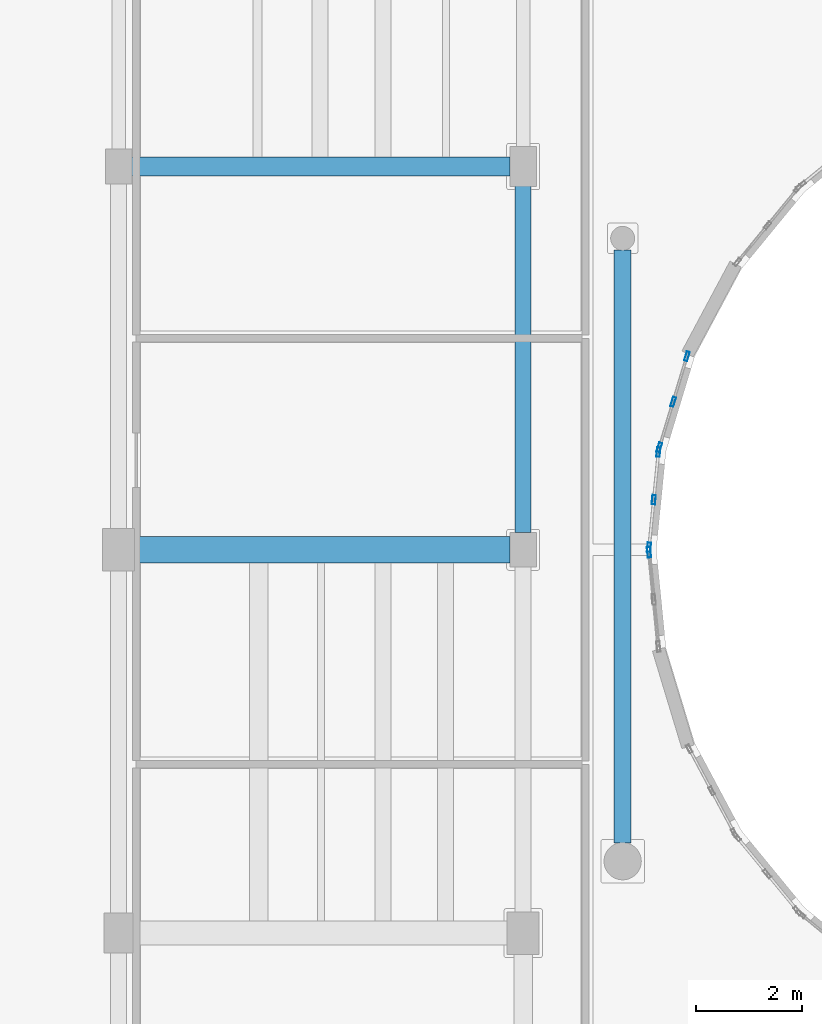
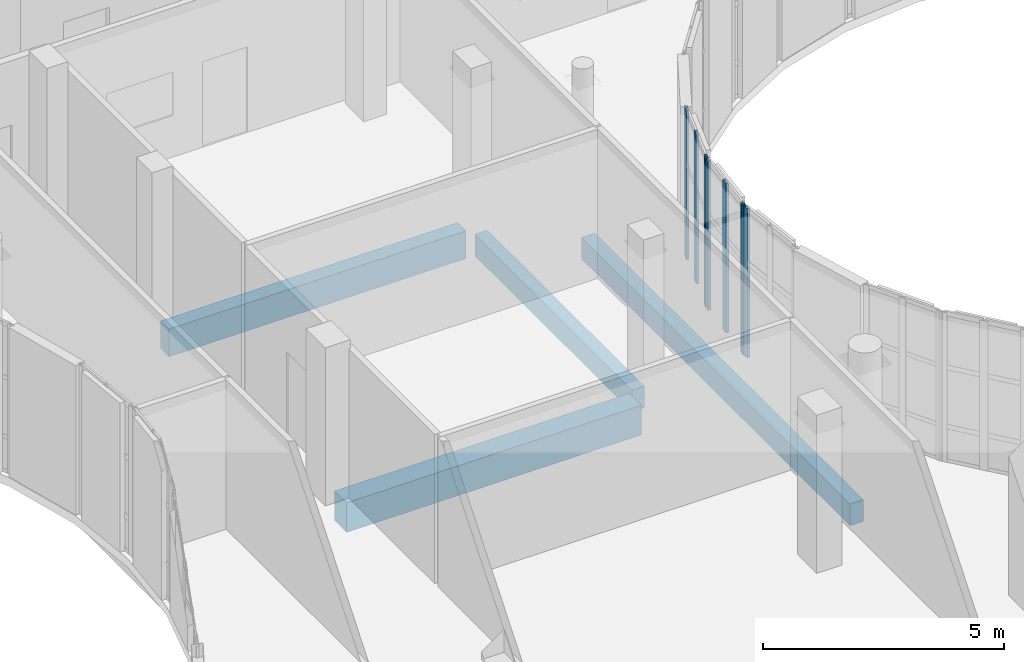
# One storey, part 35 of 105: 7 members, 4 beams, 3 elements without a shape of their own.
"""IFC4 building model written with IfcOpenShell, lengths in metres."""

from ifc_helpers import new_model, si_unit, direction, frame, origin, origin_2d, place, context, subcontext, project, spatial, rectangle, hollow_rectangle, extrude, material, layer, layer_set, material_profile, profile_set, type_object, element, aggregate, save


model = new_model("IFC4")

# Units and contexts
model_context = context("Model", 3, precision=1e-05, world=origin(), true_north=direction((0.0, 1.0)))
body_context = subcontext(model_context, "Body", "Model", "MODEL_VIEW")
ifc_project = project(units=[si_unit("LENGTHUNIT", "METRE"), si_unit("AREAUNIT", "SQUARE_METRE"), si_unit("VOLUMEUNIT", "CUBIC_METRE"), si_unit("PLANEANGLEUNIT", "RADIAN"), si_unit("MASSUNIT", "GRAM", prefix="KILO")], contexts=[model_context])

# Site, building, storey
site_placement = place(None, origin())
site = spatial("IfcSite", under=ifc_project, at=site_placement, CompositionType="ELEMENT")
building_placement = place(site_placement, origin())
building = spatial("IfcBuilding", under=site, at=building_placement, Name="Kelanivale Promenade Academy", CompositionType="ELEMENT")
storey_placement = place(building_placement, frame((0.0, 0.0, 4.199951171875)))
storey = spatial("IfcBuildingStorey", under=building, at=storey_placement, Name="L01", CompositionType="ELEMENT", Elevation=4.199951171875)

# Beams
ifc_material_1 = material(Name="Concrete C35/45", Category="concrete")
ifc_material_profile_1 = material_profile(ifc_material_1, rectangle(XDim=0.5, YDim=0.75, at=origin_2d()), Name="RC-BM 500x750")
ifc_profile_set_1 = profile_set([ifc_material_profile_1], Name="Concrete C35/45")
beam_type_1 = type_object("IfcBeamType", Name="BM-06 RC-BM 500x750", PredefinedType="BEAM", material=ifc_profile_set_1)
beam_1_placement = place(storey_placement, frame((79.4951171875, 56.800048828125, -0.594970703125), z_axis=(1.0, 0.0, 0.0), x_axis=(0.0, 1.0, 0.0)))
element("IfcBeam", 1, at=beam_1_placement, inside=storey, type_object=beam_type_1, Name="L01 girder BM-06", PredefinedType="BEAM", context=body_context, shape_type="SweptSolid", body=[
    extrude(rectangle(XDim=0.5, YDim=0.75, at=origin_2d()), origin(), (0.0, 0.0, 1.0), 7.059814453125),
])
ifc_material_profile_2 = material_profile(ifc_material_1, rectangle(XDim=0.35009765625, YDim=0.699951171875, at=origin_2d()), Name="RC-BM 350x700")
ifc_profile_set_2 = profile_set([ifc_material_profile_2], Name="Concrete C35/45")
beam_type_2 = type_object("IfcBeamType", Name="BM-11 RC-BM 350x700", PredefinedType="BEAM", material=ifc_profile_set_2)
beam_2_placement = place(storey_placement, frame((79.445068359375, 64.0, -0.570068359375), z_axis=(1.0, 0.0, 0.0), x_axis=(0.0, 1.0, 0.0)))
element("IfcBeam", 2, at=beam_2_placement, inside=storey, type_object=beam_type_2, Name="L01 girder BM-11", PredefinedType="BEAM", context=body_context, shape_type="SweptSolid", body=[
    extrude(rectangle(XDim=0.35009765625, YDim=0.699951171875, at=origin_2d()), origin(), (0.0, 0.0, 1.0), 7.10986328125),
])

# Curtain wall, members
ifc_material_2 = material(Name="Bronze anodised aluminium and solar-control low-E glass", Category="aluminium")
ifc_layer_1 = layer(ifc_material_2, 0.179931640625)
ifc_layer_set_1 = layer_set([ifc_layer_1], Name="Bronze anodised aluminium and solar-control low-E glass")
curtain_wall_type_1 = type_object("IfcCurtainWallType", Name="CW-14 Curtain Wall 1500mm Module", PredefinedType="USERDEFINED", material=ifc_layer_set_1)
curtain_wall_1_placement = place(storey_placement, origin())
curtain_wall_1 = element("IfcCurtainWall", 3, at=curtain_wall_1_placement, inside=storey, type_object=curtain_wall_type_1, Name="L01 courtyard curtain wall CW-14", ObjectType="COURTYARD SCREEN GLAZING", PredefinedType="USERDEFINED")
ifc_material_3 = material(Name="Bronze anodised aluminium EN AW-6063 T6", Category="aluminium")
ifc_material_profile_3 = material_profile(ifc_material_3, hollow_rectangle(XDim=0.06005859375, YDim=0.179931640625, WallThickness=0.00390625, at=origin_2d()), Name="ALU 60x180x4.0")
ifc_profile_set_3 = profile_set([ifc_material_profile_3], Name="Bronze anodised aluminium EN AW-6063 T6")
member_type_1 = type_object("IfcMemberType", Name="CWM-02 ALU 60x180x4.0", PredefinedType="MULLION", material=ifc_profile_set_3)
member_1_placement = place(storey_placement, frame((89.876220703125, 60.433349609375, 0.0), z_axis=(0.0, 0.0, 1.0), x_axis=(0.956987977524, -0.290127576893, 0.0)))
member_1 = element("IfcMember", 4, at=member_1_placement, type_object=member_type_1, Name="CW-14 mullion 1", PredefinedType="MULLION", context=body_context, shape_type="SweptSolid", body=[
    extrude(hollow_rectangle(XDim=0.06005859375, YDim=0.179931640625, WallThickness=0.00390625, at=origin_2d()), origin(), (0.0, 0.0, 1.0), 3.780029296875),
])
member_2_placement = place(storey_placement, frame((89.616943359375, 59.577880859375, 0.0), z_axis=(0.0, 0.0, 1.0), x_axis=(0.956987977524, -0.290127576893, 0.0)))
member_2 = element("IfcMember", 5, at=member_2_placement, type_object=member_type_1, Name="CW-14 mullion 2", PredefinedType="MULLION", context=body_context, shape_type="SweptSolid", body=[
    extrude(hollow_rectangle(XDim=0.06005859375, YDim=0.179931640625, WallThickness=0.00390625, at=origin_2d()), origin(), (0.0, 0.0, 1.0), 3.780029296875),
])
member_3_placement = place(storey_placement, frame((89.357666015625, 58.72265625, 0.0), z_axis=(0.0, 0.0, 1.0), x_axis=(0.956987977524, -0.290127576893, 0.0)))
member_3 = element("IfcMember", 6, at=member_3_placement, type_object=member_type_1, Name="CW-14 mullion 3", PredefinedType="MULLION", context=body_context, shape_type="SweptSolid", body=[
    extrude(hollow_rectangle(XDim=0.06005859375, YDim=0.179931640625, WallThickness=0.00390625, at=origin_2d()), origin(), (0.0, 0.0, 1.0), 3.780029296875),
])
aggregate(curtain_wall_1, [member_1, member_2, member_3])

ifc_layer_2 = layer(ifc_material_2, 0.159912109375)
ifc_layer_set_2 = layer_set([ifc_layer_2], Name="Bronze anodised aluminium and solar-control low-E glass")
curtain_wall_type_2 = type_object("IfcCurtainWallType", Name="CW-15 Curtain Wall 1650mm Module", PredefinedType="USERDEFINED", material=ifc_layer_set_2)
curtain_wall_2_placement = place(storey_placement, origin())
curtain_wall_2 = element("IfcCurtainWall", 7, at=curtain_wall_2_placement, inside=storey, type_object=curtain_wall_type_2, Name="L01 courtyard curtain wall CW-15", ObjectType="COURTYARD SCREEN GLAZING", PredefinedType="USERDEFINED")
ifc_material_profile_4 = material_profile(ifc_material_3, hollow_rectangle(XDim=0.06494140625, YDim=0.175048828125, WallThickness=0.00390625, at=origin_2d()), Name="ALU 65x175x4.0")
ifc_profile_set_4 = profile_set([ifc_material_profile_4], Name="Bronze anodised aluminium EN AW-6063 T6")
member_type_2 = type_object("IfcMemberType", Name="CWM-03 ALU 65x175x4.0", PredefinedType="MULLION", material=ifc_profile_set_4)
member_4_placement = place(storey_placement, frame((89.3408203125, 58.634765625, 0.0), z_axis=(0.0, 0.0, 1.0), x_axis=(0.995158737767, -0.098280652454, 0.0)))
member_4 = element("IfcMember", 8, at=member_4_placement, type_object=member_type_2, Name="CW-15 mullion 1", PredefinedType="MULLION", context=body_context, shape_type="SweptSolid", body=[
    extrude(hollow_rectangle(XDim=0.06494140625, YDim=0.175048828125, WallThickness=0.00390625, at=origin_2d()), origin(), (0.0, 0.0, 1.0), 3.780029296875),
])
member_5_placement = place(storey_placement, frame((89.25244140625, 57.740478515625, 0.0), z_axis=(0.0, 0.0, 1.0), x_axis=(0.995158737767, -0.098280652454, 0.0)))
member_5 = element("IfcMember", 9, at=member_5_placement, type_object=member_type_2, Name="CW-15 mullion 2", PredefinedType="MULLION", context=body_context, shape_type="SweptSolid", body=[
    extrude(hollow_rectangle(XDim=0.06494140625, YDim=0.175048828125, WallThickness=0.00390625, at=origin_2d()), origin(), (0.0, 0.0, 1.0), 3.780029296875),
])
member_6_placement = place(storey_placement, frame((89.164306640625, 56.846435546875, 0.0), z_axis=(0.0, 0.0, 1.0), x_axis=(0.995158737767, -0.098280652454, 0.0)))
member_6 = element("IfcMember", 10, at=member_6_placement, type_object=member_type_2, Name="CW-15 mullion 3", PredefinedType="MULLION", context=body_context, shape_type="SweptSolid", body=[
    extrude(hollow_rectangle(XDim=0.06494140625, YDim=0.175048828125, WallThickness=0.00390625, at=origin_2d()), origin(), (0.0, 0.0, 1.0), 3.780029296875),
])
aggregate(curtain_wall_2, [member_4, member_5, member_6])

# Curtain wall, member
ifc_layer_3 = layer(ifc_material_2, 0.169921875)
ifc_layer_set_3 = layer_set([ifc_layer_3], Name="Bronze anodised aluminium and solar-control low-E glass")
curtain_wall_type_3 = type_object("IfcCurtainWallType", Name="CW-16 Curtain Wall 1800mm Module", PredefinedType="USERDEFINED", material=ifc_layer_set_3)
curtain_wall_3_placement = place(storey_placement, origin())
curtain_wall_3 = element("IfcCurtainWall", 11, at=curtain_wall_3_placement, inside=storey, type_object=curtain_wall_type_3, Name="L01 courtyard curtain wall CW-16", ObjectType="COURTYARD SCREEN GLAZING", PredefinedType="USERDEFINED")
ifc_material_profile_5 = material_profile(ifc_material_3, hollow_rectangle(XDim=0.06494140625, YDim=0.199951171875, WallThickness=0.00439453125, at=origin_2d()), Name="ALU 65x200x4.5")
ifc_profile_set_5 = profile_set([ifc_material_profile_5], Name="Bronze anodised aluminium EN AW-6063 T6")
member_type_3 = type_object("IfcMemberType", Name="CWM-04 ALU 65x200x4.5", PredefinedType="MULLION", material=ifc_profile_set_5)
member_7_placement = place(storey_placement, frame((89.164306640625, 56.753662109375, 0.0), z_axis=(0.0, 0.0, 1.0), x_axis=(0.99513321337, 0.098538762159, 0.0)))
member_7 = element("IfcMember", 12, at=member_7_placement, type_object=member_type_3, Name="CW-16 mullion 1", PredefinedType="MULLION", context=body_context, shape_type="SweptSolid", body=[
    extrude(hollow_rectangle(XDim=0.06494140625, YDim=0.199951171875, WallThickness=0.00439453125, at=origin_2d()), origin(), (0.0, 0.0, 1.0), 3.780029296875),
])
aggregate(curtain_wall_3, [member_7])

# Beams
ifc_material_profile_6 = material_profile(ifc_material_1, rectangle(XDim=0.300048828125, YDim=0.550048828125, at=origin_2d()), Name="RC-BM 300x550")
ifc_profile_set_6 = profile_set([ifc_material_profile_6], Name="Concrete C35/45")
beam_type_3 = type_object("IfcBeamType", Name="JS-02 RC-BM 300x550", PredefinedType="JOIST", material=ifc_profile_set_6)
beam_3_placement = place(storey_placement, frame((86.800048828125, 57.1201171875, -0.494873046875), z_axis=(0.0, 1.0, 0.0), x_axis=(-1.0, 0.0, 0.0)))
element("IfcBeam", 13, at=beam_3_placement, inside=storey, type_object=beam_type_3, Name="L01 beam JS-02", PredefinedType="JOIST", context=body_context, shape_type="SweptSolid", body=[
    extrude(rectangle(XDim=0.300048828125, YDim=0.550048828125, at=origin_2d()), origin(), (0.0, 0.0, 1.0), 6.509765625),
])
ifc_material_profile_7 = material_profile(ifc_material_1, rectangle(XDim=0.320068359375, YDim=0.550048828125, at=origin_2d()), Name="RC-BM 320x550")
ifc_profile_set_7 = profile_set([ifc_material_profile_7], Name="Concrete C35/45")
beam_type_4 = type_object("IfcBeamType", Name="JS-04 RC-BM 320x550", PredefinedType="JOIST", material=ifc_profile_set_7)
beam_4_placement = place(storey_placement, frame((88.66796875, 51.294921875, -0.494873046875), z_axis=(0.0, 1.0, 0.0), x_axis=(-1.0, 0.0, 0.0)))
element("IfcBeam", 14, at=beam_4_placement, inside=storey, type_object=beam_type_4, Name="L01 beam JS-04", PredefinedType="JOIST", context=body_context, shape_type="SweptSolid", body=[
    extrude(rectangle(XDim=0.320068359375, YDim=0.550048828125, at=origin_2d()), origin(), (0.0, 0.0, 1.0), 11.135009765625),
])

save(model, "model.ifc")
